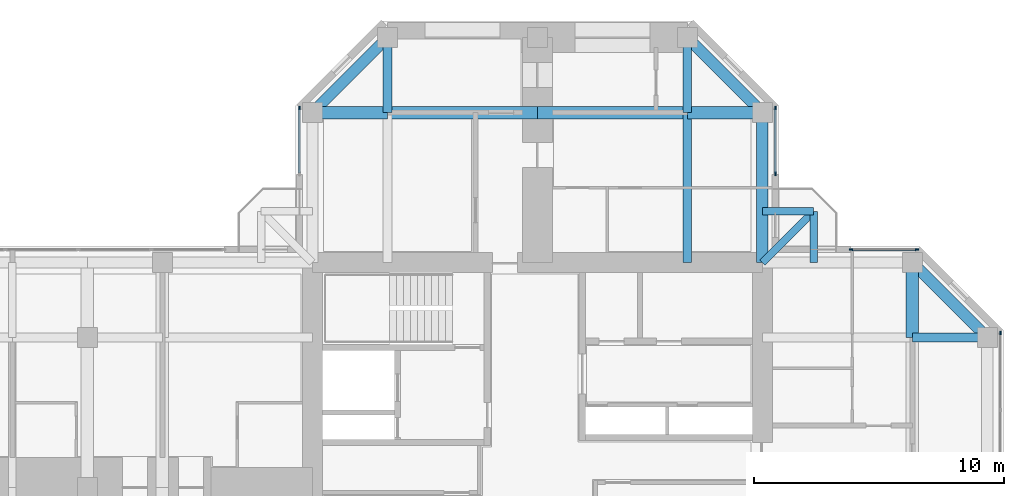
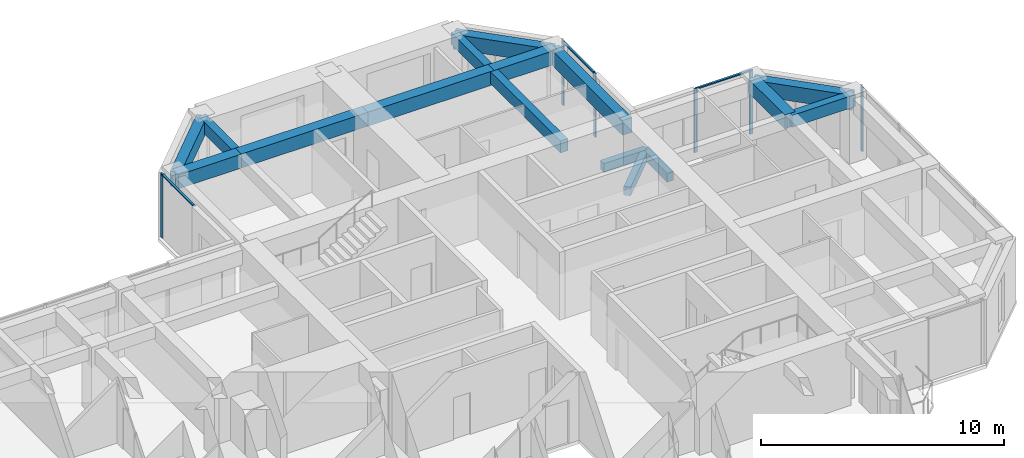
# One storey, part 6 of 13: 16 beams, 9 members, 4 elements without a shape of their own.
"""IFC4 building model written with IfcOpenShell, lengths in metres."""

import ifcopenshell
import ifcopenshell.guid

model = None  # the IFC model being written
_history = None  # IfcOwnerHistory: only IFC2X3 demands one
_inside = {}  # id of a spatial element -> (the spatial element, [elements in it])
_under = {}  # id of a project, library or spatial element -> (it, [spatial elements below it])
_declared = {}  # id of a project -> (the project, [libraries it declares])
_typed = {}  # id of a type object -> (the type object, [elements of that type])
_made_of = {}  # id of a material, layer set ... -> (it, [elements and type objects made of it])


def new_model(schema):
    """Start an empty IFC model of exactly this schema.

    Asked for "IFC4X3", IfcOpenShell would pick the latest addendum, in which some entities
    have other attributes; the version numbers below select the first issue.
    IFC2X3 requires an IfcOwnerHistory on every rooted entity: one is made here for all.
    """
    global model, _history
    if schema == "IFC4X3":
        model = ifcopenshell.file(schema_version=(4, 3, 0, 0))
    else:
        model = ifcopenshell.file(schema=schema)
    _inside.clear()
    _under.clear()
    _declared.clear()
    _typed.clear()
    _made_of.clear()
    _history = None
    if model.schema == "IFC2X3":
        org = make("IfcOrganization", Name="unknown")
        user = make(
            "IfcPersonAndOrganization",
            ThePerson=make("IfcPerson", FamilyName="unknown"),
            TheOrganization=org,
        )
        app = make(
            "IfcApplication",
            ApplicationDeveloper=org,
            Version="unknown",
            ApplicationFullName="unknown",
            ApplicationIdentifier="unknown",
        )
        _history = make(
            "IfcOwnerHistory",
            OwningUser=user,
            OwningApplication=app,
            ChangeAction="ADDED",
            CreationDate=0,
        )
    return model


def make(cls, **values):
    """One entity of the class cls with the attributes given. An attribute that is None is left unset."""
    return model.create_entity(
        cls, **{name: value for name, value in values.items() if value is not None}
    )


def rooted(cls, **values):
    """An entity with a GlobalId (a new one), such as an element, a storey or a relation."""
    return make(cls, GlobalId=ifcopenshell.guid.new(), OwnerHistory=_history, **values)


def si_unit(unit_type, name, prefix=None):
    """IfcSIUnit, for example si_unit("LENGTHUNIT", "METRE", prefix="MILLI")."""
    return make("IfcSIUnit", UnitType=unit_type, Prefix=prefix, Name=name)


def assignment(units):
    """IfcUnitAssignment: the units of a project."""
    return None if units is None else make("IfcUnitAssignment", Units=units)


def point(xyz):
    """IfcCartesianPoint."""
    return None if xyz is None else make("IfcCartesianPoint", Coordinates=xyz)


def direction(xyz):
    """IfcDirection."""
    return None if xyz is None else make("IfcDirection", DirectionRatios=xyz)


def frame(location, z_axis=None, x_axis=None):
    """IfcAxis2Placement3D, a coordinate frame: its origin and axes. An axis left out is left unset."""
    return make(
        "IfcAxis2Placement3D",
        Location=point(location),
        Axis=direction(z_axis),
        RefDirection=direction(x_axis),
    )


def frame_2d(location, x_axis=None):
    """IfcAxis2Placement2D, a coordinate frame in the plane: its origin and x axis."""
    return make(
        "IfcAxis2Placement2D", Location=point(location), RefDirection=direction(x_axis)
    )


def origin():
    """The frame at (0, 0, 0) with its axes left unset."""
    return frame((0.0, 0.0, 0.0))


def origin_2d():
    """The frame at (0, 0) in the plane with its x axis left unset."""
    return frame_2d((0.0, 0.0))


def place(relative_to, where):
    """IfcLocalPlacement: puts the frame where relative to a parent placement (None: the world)."""
    return make(
        "IfcLocalPlacement", PlacementRelTo=relative_to, RelativePlacement=where
    )


def context(
    kind, dimensions, precision=None, world=None, true_north=None, identifier=None
):
    """IfcGeometricRepresentationContext, for example the 3D "Model" context."""
    return make(
        "IfcGeometricRepresentationContext",
        ContextIdentifier=identifier,
        ContextType=kind,
        CoordinateSpaceDimension=dimensions,
        Precision=precision,
        WorldCoordinateSystem=world,
        TrueNorth=true_north,
    )


def subcontext(parent, identifier, kind, view, scale=None):
    """IfcGeometricRepresentationSubContext, for example "Body" below "Model"."""
    return make(
        "IfcGeometricRepresentationSubContext",
        ContextIdentifier=identifier,
        ContextType=kind,
        ParentContext=parent,
        TargetScale=scale,
        TargetView=view,
    )


def project(units=None, contexts=None):
    """IfcProject with its units and contexts."""
    return rooted(
        "IfcProject",
        Name="project",
        RepresentationContexts=contexts,
        UnitsInContext=assignment(units),
    )


def spatial(cls, under=None, at=None, **own):
    """A site, building, storey or space (cls), placed at a placement, below another one or the project."""
    s = rooted(cls, ObjectPlacement=at, **own)
    if under is not None:
        _under.setdefault(under.id(), (under, []))[1].append(s)
    return s


def profile(cls, at=None, kind="AREA", **sizes):
    """A parametric profile (cls). Its sizes go by their IFC names, for example OverallWidth=200.0."""
    return make(cls, ProfileType=kind, Position=at, **sizes)


def rectangle(**sizes):
    """IfcRectangleProfileDef."""
    return profile("IfcRectangleProfileDef", **sizes)


def extrude(swept, where, along, depth):
    """IfcExtrudedAreaSolid: the profile swept, set in the frame where, extruded along a direction by depth."""
    return make(
        "IfcExtrudedAreaSolid",
        SweptArea=swept,
        Position=where,
        ExtrudedDirection=direction(along),
        Depth=depth,
    )


def shape(context_of_items, identifier, shape_type, items):
    """IfcShapeRepresentation: the items that make up one representation, for example the "Body"."""
    return make(
        "IfcShapeRepresentation",
        ContextOfItems=context_of_items,
        RepresentationIdentifier=identifier,
        RepresentationType=shape_type,
        Items=items,
    )


def material(Name=None, Category=None):
    """IfcMaterial."""
    return make("IfcMaterial", Name=Name, Category=Category)


def material_profile(
    of_material, cross_section, Name=None, Category=None, Priority=None
):
    """IfcMaterialProfile: a cross section and its material."""
    return make(
        "IfcMaterialProfile",
        Name=Name,
        Material=of_material,
        Profile=cross_section,
        Priority=Priority,
        Category=Category,
    )


def profile_set(profiles, Name=None, composite=None):
    """IfcMaterialProfileSet."""
    return make(
        "IfcMaterialProfileSet",
        Name=Name,
        MaterialProfiles=profiles,
        CompositeProfile=composite,
    )


def made_of(thing, what):
    """Note that an element or type object is made of a material, layer set ...; save() writes the relation."""
    if what is not None:
        _made_of.setdefault(what.id(), (what, []))[1].append(thing)
    return thing


def type_object(cls, material=None, **own):
    """A type object (cls), such as IfcWallType, which elements share."""
    return made_of(rooted(cls, **own), material)


def element(
    cls,
    number,
    at=None,
    inside=None,
    cuts=None,
    type_object=None,
    material=None,
    context=None,
    identifier="Body",
    shape_type=None,
    held_by="IfcProductDefinitionShape",
    body=None,
    shapes=None,
    **own,
):
    """One element of the class cls, such as IfcWall. Its Tag is "e" and its number.

    at: its placement. inside: the storey or other place that contains it. cuts: it is an
    opening in that element (IfcRelVoidsElement). A single representation is given by context,
    identifier, shape_type and body (its items); several are given by shapes. held_by: the class
    of the entity that holds the representations. save() writes the other relations.
    """
    e = rooted(cls, Tag="e%d" % number, ObjectPlacement=at, **own)
    if body is not None:
        shapes = [shape(context, identifier, shape_type, body)]
    if shapes is not None:
        e.Representation = make(held_by, Representations=shapes)
    if inside is not None:
        _inside.setdefault(inside.id(), (inside, []))[1].append(e)
    if cuts is not None:
        rooted(
            "IfcRelVoidsElement", RelatingBuildingElement=cuts, RelatedOpeningElement=e
        )
    if type_object is not None:
        _typed.setdefault(type_object.id(), (type_object, []))[1].append(e)
    return made_of(e, material)


def aggregate(whole, parts):
    """IfcRelAggregates: a whole, such as a stair, and the parts it consists of."""
    return rooted("IfcRelAggregates", RelatingObject=whole, RelatedObjects=parts)


def save(model, path):
    """Write the relations noted so far, then the file.

    IfcRelAggregates (storeys below a building ...), IfcRelContainedInSpatialStructure (elements
    in a storey), IfcRelDefinesByType, IfcRelAssociatesMaterial and IfcRelDeclares: one each for
    every whole, place, type object, material and project.
    """
    for whole, parts in _under.values():
        aggregate(whole, parts)
    for where, things in _inside.values():
        rooted(
            "IfcRelContainedInSpatialStructure",
            RelatedElements=things,
            RelatingStructure=where,
        )
    for kind, things in _typed.values():
        rooted("IfcRelDefinesByType", RelatedObjects=things, RelatingType=kind)
    for what, things in _made_of.values():
        rooted("IfcRelAssociatesMaterial", RelatedObjects=things, RelatingMaterial=what)
    for by, libraries in _declared.values():
        rooted("IfcRelDeclares", RelatingContext=by, RelatedDefinitions=libraries)
    model.write(path)


model = new_model("IFC4")

# Units and contexts
model_context = context("Model", 3, precision=1e-05, world=origin(), true_north=direction((0.0, 1.0)))
body_context = subcontext(model_context, "Body", "Model", "MODEL_VIEW")
ifc_project = project(units=[si_unit("LENGTHUNIT", "METRE"), si_unit("AREAUNIT", "SQUARE_METRE"), si_unit("VOLUMEUNIT", "CUBIC_METRE"), si_unit("PLANEANGLEUNIT", "RADIAN"), si_unit("MASSUNIT", "GRAM", prefix="KILO")], contexts=[model_context])

# Site, building, storey
site_placement = place(None, origin())
site = spatial("IfcSite", under=ifc_project, at=site_placement, CompositionType="ELEMENT")
building_placement = place(site_placement, origin())
building = spatial("IfcBuilding", under=site, at=building_placement, Name="Torre Cruceta", CompositionType="ELEMENT")
storey_placement = place(building_placement, frame((0.0, 0.0, 242.5)))
storey = spatial("IfcBuildingStorey", under=building, at=storey_placement, Name="L62", CompositionType="ELEMENT", Elevation=242.5)

# Beams
ifc_material_1 = material(Name="Concrete G60 (fck 60 MPa)", Category="concrete")
ifc_material_profile_1 = material_profile(ifc_material_1, rectangle(XDim=0.300048828125, YDim=0.449951171875, at=origin_2d()), Name="RC 300X450")
ifc_profile_set_1 = profile_set([ifc_material_profile_1], Name="Concrete G60 (fck 60 MPa)")
beam_type_1 = type_object("IfcBeamType", Name="BALCONY CANTILEVER BEAM RC 300X450", PredefinedType="BEAM", material=ifc_profile_set_1)
beam_1_placement = place(storey_placement, frame((9.0, 9.0, -0.405029296875), z_axis=(0.707106781187, 0.707106781187, 0.0), x_axis=(-0.707106781187, 0.707106781187, 0.0)))
element("IfcBeam", 1, at=beam_1_placement, inside=storey, type_object=beam_type_1, Name="BB1 balcony beam L62 E", PredefinedType="BEAM", context=body_context, shape_type="SweptSolid", body=[
    extrude(rectangle(XDim=0.300048828125, YDim=0.449951171875, at=origin_2d()), origin(), (0.0, 0.0, 1.0), 2.89990234375),
])
for number, where, z_axis, x_axis, name in (
    (2, (11.050537109375, 9.0, -0.405029296875), (0.0, 1.0, 0.0), (-1.0, 0.0, 0.0), "BB1 balcony edge beam L62 E-X"),
    (3, (9.0, 11.050537109375, -0.405029296875), (1.0, 0.0, 0.0), (0.0, 1.0, 0.0), "BB1 balcony edge beam L62 E-Y"),
):
    element("IfcBeam", number, at=place(storey_placement, frame(where, z_axis=z_axis, x_axis=x_axis)), inside=storey, type_object=beam_type_1, Name=name, PredefinedType="BEAM", context=body_context, shape_type="SweptSolid", body=[
        extrude(rectangle(XDim=0.300048828125, YDim=0.449951171875, at=origin_2d()), origin(), (0.0, 0.0, 1.0), 2.050537109375),
    ])
ifc_material_2 = material(Name="Concrete G60 (fck 60 MPa)", Category="concrete")
ifc_material_profile_2 = material_profile(ifc_material_2, rectangle(XDim=0.35009765625, YDim=0.60009765625, at=origin_2d()), Name="RC 350X600")
ifc_profile_set_2 = profile_set([ifc_material_profile_2], Name="Concrete G60 (fck 60 MPa)")
beam_type_2 = type_object("IfcBeamType", Name="COLUMN LINE BEAM RC 350X600", PredefinedType="BEAM", material=ifc_profile_set_2)
beam_2_placement = place(storey_placement, frame((6.0, 9.0, 2.919921875), z_axis=(0.0, 1.0, 0.0), x_axis=(-1.0, 0.0, 0.0)))
element("IfcBeam", 4, at=beam_2_placement, inside=storey, type_object=beam_type_2, Name="LB9 L62 N col- 1", PredefinedType="BEAM", context=body_context, shape_type="SweptSolid", body=[
    extrude(rectangle(XDim=0.35009765625, YDim=0.60009765625, at=origin_2d()), origin(), (0.0, 0.0, 1.0), 6.0),
])
for number, where, z_axis, x_axis, name in (
    (5, (6.0, 15.0, 2.919921875), (0.0, 1.0, 0.0), (-1.0, 0.0, 0.0), "LB9 L62 N col- 2"),
    (6, (-6.0, 15.0, 2.919921875), (0.0, 1.0, 0.0), (-1.0, 0.0, 0.0), "LB9 L62 N col+ 2"),
    (7, (15.0, 6.0, 2.919921875), (1.0, 0.0, 0.0), (0.0, 1.0, 0.0), "LB9 L62 E col+ 2"),
):
    element("IfcBeam", number, at=place(storey_placement, frame(where, z_axis=z_axis, x_axis=x_axis)), inside=storey, type_object=beam_type_2, Name=name, PredefinedType="BEAM", context=body_context, shape_type="SweptSolid", body=[
        extrude(rectangle(XDim=0.35009765625, YDim=0.60009765625, at=origin_2d()), origin(), (0.0, 0.0, 1.0), 3.0),
    ])
ifc_material_3 = material(Name="Concrete G60 (fck 60 MPa)", Category="concrete")
ifc_material_profile_3 = material_profile(ifc_material_3, rectangle(XDim=0.5, YDim=0.699951171875, at=origin_2d()), Name="RC 500X700")
ifc_profile_set_3 = profile_set([ifc_material_profile_3], Name="Concrete G60 (fck 60 MPa)")
beam_type_3 = type_object("IfcBeamType", Name="CROSS BEAM RC 500X700", PredefinedType="BEAM", material=ifc_profile_set_3)
beam_3_placement = place(storey_placement, frame((9.0, 15.0, 2.8701171875), z_axis=(-1.0, 0.0, 0.0), x_axis=(0.0, -1.0, 0.0)))
element("IfcBeam", 8, at=beam_3_placement, inside=storey, type_object=beam_type_3, Name="GB7 L62 N cross15 1", PredefinedType="BEAM", context=body_context, shape_type="SweptSolid", body=[
    extrude(rectangle(XDim=0.5, YDim=0.699951171875, at=origin_2d()), origin(), (0.0, 0.0, 1.0), 3.0),
])
for number, where, z_axis, x_axis, name in (
    (9, (6.0, 15.0, 2.8701171875), (-1.0, 0.0, 0.0), (0.0, -1.0, 0.0), "GB7 L62 N cross15 2"),
    (10, (0.0, 15.0, 2.8701171875), (-1.0, 0.0, 0.0), (0.0, -1.0, 0.0), "GB7 L62 N cross15 3"),
):
    element("IfcBeam", number, at=place(storey_placement, frame(where, z_axis=z_axis, x_axis=x_axis)), inside=storey, type_object=beam_type_3, Name=name, PredefinedType="BEAM", context=body_context, shape_type="SweptSolid", body=[
        extrude(rectangle(XDim=0.5, YDim=0.699951171875, at=origin_2d()), origin(), (0.0, 0.0, 1.0), 6.0),
    ])
for number, where, z_axis, x_axis, name in (
    (11, (-6.0, 15.0, 2.8701171875), (-1.0, 0.0, 0.0), (0.0, -1.0, 0.0), "GB7 L62 N cross15 4"),
    (12, (15.0, 6.0, 2.8701171875), (0.0, 1.0, 0.0), (-1.0, 0.0, 0.0), "GB7 L62 E cross15 4"),
):
    element("IfcBeam", number, at=place(storey_placement, frame(where, z_axis=z_axis, x_axis=x_axis)), inside=storey, type_object=beam_type_3, Name=name, PredefinedType="BEAM", context=body_context, shape_type="SweptSolid", body=[
        extrude(rectangle(XDim=0.5, YDim=0.699951171875, at=origin_2d()), origin(), (0.0, 0.0, 1.0), 3.0),
    ])

# Curtain wall, member
ifc_material_4 = material(Name="Aluminium unitised curtain wall", Category="aluminium")
curtain_wall_type = type_object("IfcCurtainWallType", Name="CURTAIN WALL CW-D CO-LIVING UPPER", PredefinedType="USERDEFINED", material=ifc_material_4)
curtain_wall_1_placement = place(storey_placement, origin())
curtain_wall_1 = element("IfcCurtainWall", 13, at=curtain_wall_1_placement, inside=storey, type_object=curtain_wall_type, Name="CW-D L62 E tip 02", ObjectType="UNITISED", PredefinedType="USERDEFINED")
ifc_material_5 = material(Name="Aluminium mullion", Category="aluminium")
ifc_material_profile_4 = material_profile(ifc_material_5, rectangle(XDim=0.06005859375, YDim=0.14990234375, at=origin_2d()), Name="AL 60X150")
ifc_profile_set_4 = profile_set([ifc_material_profile_4], Name="Aluminium mullion")
member_type_1 = type_object("IfcMemberType", Name="CW-D MULLION 60X150", PredefinedType="MULLION", material=ifc_profile_set_4)
member_1_placement = place(storey_placement, frame((18.52001953125, 6.185302734375, 0.0), z_axis=(0.0, 0.0, 1.0), x_axis=(-1.0, 0.0, 0.0)))
member_1 = element("IfcMember", 14, at=member_1_placement, type_object=member_type_1, Name="CW-D mullion 5", PredefinedType="MULLION", context=body_context, shape_type="SweptSolid", body=[
    extrude(rectangle(XDim=0.06005859375, YDim=0.14990234375, at=origin_2d()), origin(), (0.0, 0.0, 1.0), 3.219970703125),
])
aggregate(curtain_wall_1, [member_1])

# Curtain wall, members
curtain_wall_2_placement = place(storey_placement, origin())
curtain_wall_2 = element("IfcCurtainWall", 15, at=curtain_wall_2_placement, inside=storey, type_object=curtain_wall_type, Name="CW-D L62 E side 04", ObjectType="UNITISED", PredefinedType="USERDEFINED")
member_2_placement = place(storey_placement, frame((15.185302734375, 9.52001953125, 0.0), z_axis=(0.0, 0.0, 1.0), x_axis=(0.0, -1.0, 0.0)))
member_2 = element("IfcMember", 16, at=member_2_placement, type_object=member_type_1, Name="CW-D mullion 1", PredefinedType="MULLION", context=body_context, shape_type="SweptSolid", body=[
    extrude(rectangle(XDim=0.06005859375, YDim=0.14990234375, at=origin_2d()), origin(), (0.0, 0.0, 1.0), 3.219970703125),
])
member_3_placement = place(storey_placement, frame((12.550048828125, 9.52001953125, 0.0), z_axis=(0.0, 0.0, 1.0), x_axis=(0.0, -1.0, 0.0)))
member_3 = element("IfcMember", 17, at=member_3_placement, type_object=member_type_1, Name="CW-D mullion 2", PredefinedType="MULLION", context=body_context, shape_type="SweptSolid", body=[
    extrude(rectangle(XDim=0.06005859375, YDim=0.14990234375, at=origin_2d()), origin(), (0.0, 0.0, 1.0), 3.219970703125),
])

curtain_wall_3_placement = place(storey_placement, origin())
curtain_wall_3 = element("IfcCurtainWall", 18, at=curtain_wall_3_placement, inside=storey, type_object=curtain_wall_type, Name="CW-D L62 N side 05", ObjectType="UNITISED", PredefinedType="USERDEFINED")
member_4_placement = place(storey_placement, frame((9.52001953125, 12.550048828125, 0.0), z_axis=(0.0, 0.0, 1.0), x_axis=(-1.0, 0.0, 0.0)))
member_4 = element("IfcMember", 19, at=member_4_placement, type_object=member_type_1, Name="CW-D mullion 1", PredefinedType="MULLION", context=body_context, shape_type="SweptSolid", body=[
    extrude(rectangle(XDim=0.06005859375, YDim=0.14990234375, at=origin_2d()), origin(), (0.0, 0.0, 1.0), 3.219970703125),
])
member_5_placement = place(storey_placement, frame((9.52001953125, 15.185302734375, 0.0), z_axis=(0.0, 0.0, 1.0), x_axis=(-1.0, 0.0, 0.0)))
member_5 = element("IfcMember", 20, at=member_5_placement, type_object=member_type_1, Name="CW-D mullion 2", PredefinedType="MULLION", context=body_context, shape_type="SweptSolid", body=[
    extrude(rectangle(XDim=0.06005859375, YDim=0.14990234375, at=origin_2d()), origin(), (0.0, 0.0, 1.0), 3.219970703125),
])

# Curtain wall, member
curtain_wall_4_placement = place(storey_placement, origin())
curtain_wall_4 = element("IfcCurtainWall", 21, at=curtain_wall_4_placement, inside=storey, type_object=curtain_wall_type, Name="CW-D L62 N side 09", ObjectType="UNITISED", PredefinedType="USERDEFINED")
member_6_placement = place(storey_placement, frame((-9.52001953125, 15.185302734375, 0.0), z_axis=(0.0, 0.0, 1.0), x_axis=(1.0, 0.0, 0.0)))
member_6 = element("IfcMember", 22, at=member_6_placement, type_object=member_type_1, Name="CW-D mullion 1", PredefinedType="MULLION", context=body_context, shape_type="SweptSolid", body=[
    extrude(rectangle(XDim=0.06005859375, YDim=0.14990234375, at=origin_2d()), origin(), (0.0, 0.0, 1.0), 3.219970703125),
])

# Member
ifc_material_6 = material(Name="Aluminium transom", Category="aluminium")
ifc_material_profile_5 = material_profile(ifc_material_6, rectangle(XDim=0.10009765625, YDim=0.06005859375, at=origin_2d()), Name="AL 100X60")
ifc_profile_set_5 = profile_set([ifc_material_profile_5], Name="Aluminium transom")
member_type_2 = type_object("IfcMemberType", Name="CW-D TRANSOM 60X100", PredefinedType="USERDEFINED", material=ifc_profile_set_5)
member_7_placement = place(storey_placement, frame((15.1552734375, 9.52001953125, 3.18994140625), z_axis=(-1.0, 0.0, 0.0), x_axis=(0.0, -1.0, 0.0)))
member_7 = element("IfcMember", 23, at=member_7_placement, type_object=member_type_2, Name="CW-D transom 1", ObjectType="TRANSOM", PredefinedType="USERDEFINED", context=body_context, shape_type="SweptSolid", body=[
    extrude(rectangle(XDim=0.10009765625, YDim=0.06005859375, at=origin_2d()), origin(), (0.0, 0.0, 1.0), 2.5751953125),
])

aggregate(curtain_wall_2, [member_2, member_3, member_7])

member_8_placement = place(storey_placement, frame((9.52001953125, 12.580078125, 3.18994140625), z_axis=(0.0, 1.0, 0.0), x_axis=(-1.0, 0.0, 0.0)))
member_8 = element("IfcMember", 24, at=member_8_placement, type_object=member_type_2, Name="CW-D transom 1", ObjectType="TRANSOM", PredefinedType="USERDEFINED", context=body_context, shape_type="SweptSolid", body=[
    extrude(rectangle(XDim=0.10009765625, YDim=0.06005859375, at=origin_2d()), origin(), (0.0, 0.0, 1.0), 2.5751953125),
])

aggregate(curtain_wall_3, [member_4, member_5, member_8])

member_9_placement = place(storey_placement, frame((-9.52001953125, 15.1552734375, 3.18994140625), z_axis=(0.0, -1.0, 0.0), x_axis=(1.0, 0.0, 0.0)))
member_9 = element("IfcMember", 25, at=member_9_placement, type_object=member_type_2, Name="CW-D transom 1", ObjectType="TRANSOM", PredefinedType="USERDEFINED", context=body_context, shape_type="SweptSolid", body=[
    extrude(rectangle(XDim=0.10009765625, YDim=0.06005859375, at=origin_2d()), origin(), (0.0, 0.0, 1.0), 2.5751953125),
])

aggregate(curtain_wall_4, [member_6, member_9])

# Beams
ifc_material_7 = material(Name="Concrete G60 (fck 60 MPa)", Category="concrete")
ifc_material_profile_6 = material_profile(ifc_material_7, rectangle(XDim=0.449951171875, YDim=0.75, at=origin_2d()), Name="RC 450X750")
ifc_profile_set_6 = profile_set([ifc_material_profile_6], Name="Concrete G60 (fck 60 MPa)")
beam_type_4 = type_object("IfcBeamType", Name="SPANDREL BEAM RC 450X750", PredefinedType="SPANDREL", material=ifc_profile_set_6)
beam_4_placement = place(storey_placement, frame((9.0, 9.0, 2.844970703125), z_axis=(0.0, 1.0, 0.0), x_axis=(-1.0, 0.0, 0.0)))
element("IfcBeam", 26, at=beam_4_placement, inside=storey, type_object=beam_type_4, Name="SB7 L62 N side- 1", PredefinedType="SPANDREL", context=body_context, shape_type="SweptSolid", body=[
    extrude(rectangle(XDim=0.449951171875, YDim=0.75, at=origin_2d()), origin(), (0.0, 0.0, 1.0), 6.0),
])
for number, where, z_axis, x_axis, name in (
    (27, (9.0, 15.0, 2.844970703125), (-0.707106781187, 0.707106781187, 0.0), (-0.707106781187, -0.707106781187, 0.0), "SB7 L62 N side- 2"),
    (28, (-9.0, 15.0, 2.844970703125), (0.707106781187, 0.707106781187, 0.0), (-0.707106781187, 0.707106781187, 0.0), "SB7 L62 N side+ 2"),
    (29, (15.0, 9.0, 2.844970703125), (0.707106781187, -0.707106781187, 0.0), (0.707106781187, 0.707106781187, 0.0), "SB7 L62 E side+ 2"),
):
    element("IfcBeam", number, at=place(storey_placement, frame(where, z_axis=z_axis, x_axis=x_axis)), inside=storey, type_object=beam_type_4, Name=name, PredefinedType="SPANDREL", context=body_context, shape_type="SweptSolid", body=[
        extrude(rectangle(XDim=0.449951171875, YDim=0.75, at=origin_2d()), origin(), (0.0, 0.0, 1.0), 4.24267578125),
    ])

save(model, "model.ifc")
